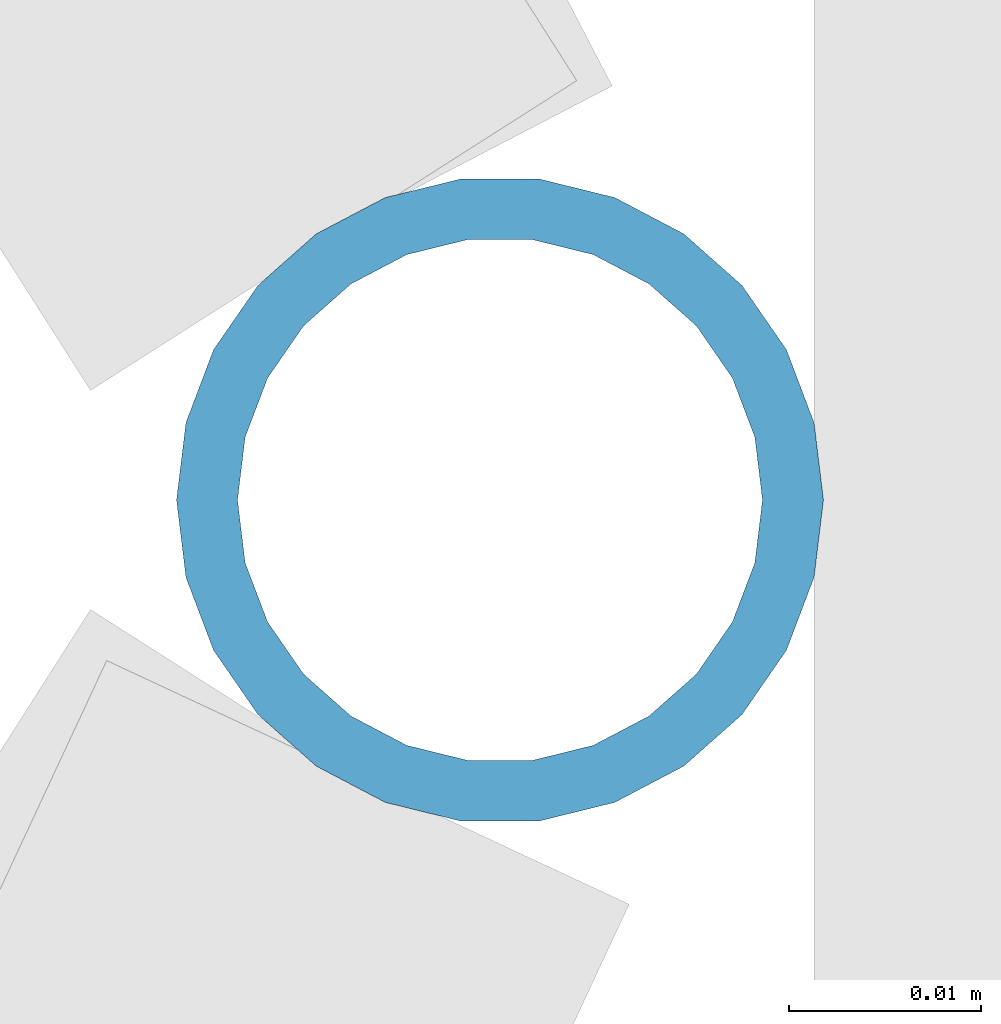
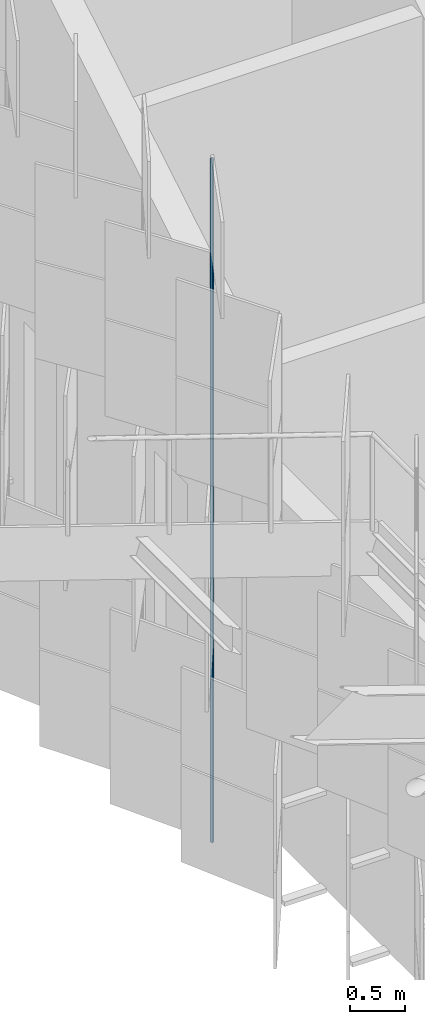
# One storey, part 191 of 483: 1 discrete accessory.
"""IFC4 building model written with IfcOpenShell, lengths in metres."""

from ifc_helpers import new_model, si_unit, direction, frame, origin, origin_2d, place, context, subcontext, project, spatial, hollow_circle, extrude, material, material_profile, profile_set, type_object, element, save


model = new_model("IFC4")

# Units and contexts
model_context = context("Model", 3, precision=1e-05, world=origin(), true_north=direction((0.0, 1.0)))
body_context = subcontext(model_context, "Body", "Model", "MODEL_VIEW")
ifc_project = project(units=[si_unit("LENGTHUNIT", "METRE"), si_unit("AREAUNIT", "SQUARE_METRE"), si_unit("VOLUMEUNIT", "CUBIC_METRE"), si_unit("PLANEANGLEUNIT", "RADIAN"), si_unit("MASSUNIT", "GRAM", prefix="KILO")], contexts=[model_context])

# Site, building, storey
site_placement = place(None, origin())
site = spatial("IfcSite", under=ifc_project, at=site_placement, CompositionType="ELEMENT")
building_placement = place(site_placement, origin())
building = spatial("IfcBuilding", under=site, at=building_placement, Name="Parallax Yard Mobility Hub", CompositionType="ELEMENT")
storey_placement = place(building_placement, frame((0.0, 0.0, 13.199951171875)))
storey = spatial("IfcBuildingStorey", under=building, at=storey_placement, Name="L04", CompositionType="ELEMENT", Elevation=13.199951171875)

# Discrete accessory
ifc_material = material(Name="Steel ASTM A500 Gr C, hot-dip galvanised", Category="steel")
ifc_material_profile = material_profile(ifc_material, hollow_circle(Radius=0.016845703125, WallThickness=0.003173828125, at=origin_2d()), Name="CHS 33.7x3.2")
ifc_profile_set = profile_set([ifc_material_profile], Name="Steel ASTM A500 Gr C, hot-dip galvanised")
discrete_accessory_type = type_object("IfcDiscreteAccessoryType", Name="Hinge post CHS 33.7x3.2", PredefinedType="BRACKET", material=ifc_profile_set)
discrete_accessory_placement = place(storey_placement, frame((194.479736328125, 79.64794921875, 0.0), z_axis=(0.0, 0.0, 1.0), x_axis=(1.0, 0.0, 0.0)))
element("IfcDiscreteAccessory", 1, at=discrete_accessory_placement, inside=storey, type_object=discrete_accessory_type, Name="Hinge post bay 23.10 level L04", PredefinedType="BRACKET", context=body_context, shape_type="SweptSolid", body=[
    extrude(hollow_circle(Radius=0.016845703125, WallThickness=0.003173828125, at=origin_2d()), origin(), (0.0, 0.0, 1.0), 7.650146484375),
])

save(model, "model.ifc")
